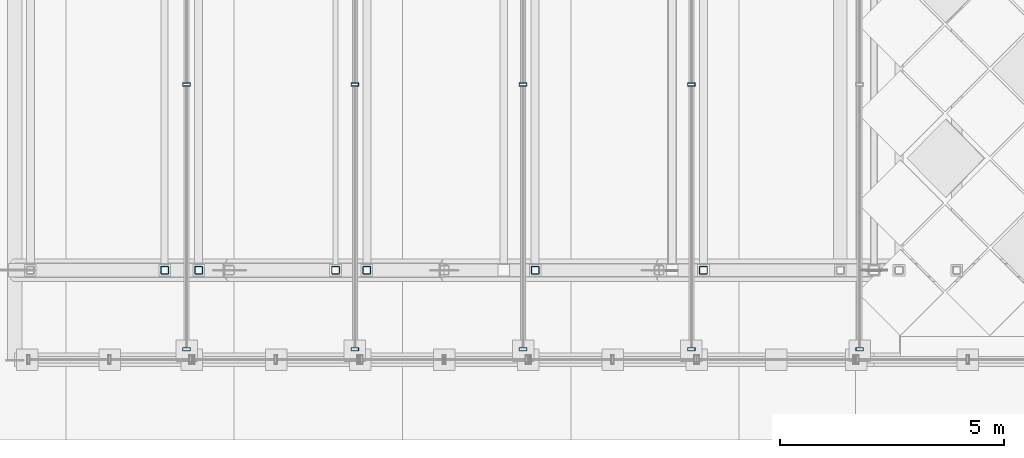
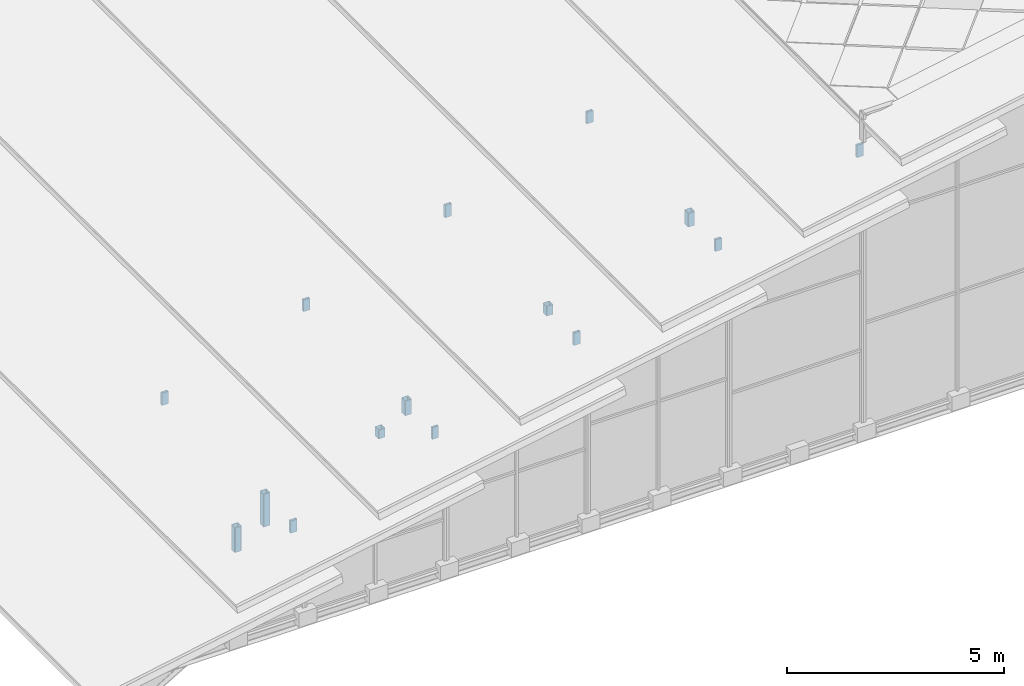
# One storey, part 50 of 117: 15 members, 5 elements without a shape of their own.
"""IFC4 building model written with IfcOpenShell, lengths in metres."""

from ifc_helpers import new_model, si_unit, direction, frame, origin, origin_2d, place, context, subcontext, project, spatial, hollow_rectangle, extrude, material, material_profile, profile_set, type_object, element, aggregate, save


model = new_model("IFC4")

# Units and contexts
model_context = context("Model", 3, precision=1e-05, world=origin(), true_north=direction((0.0, 1.0)))
body_context = subcontext(model_context, "Body", "Model", "MODEL_VIEW")
ifc_project = project(units=[si_unit("LENGTHUNIT", "METRE"), si_unit("AREAUNIT", "SQUARE_METRE"), si_unit("VOLUMEUNIT", "CUBIC_METRE"), si_unit("PLANEANGLEUNIT", "RADIAN"), si_unit("MASSUNIT", "GRAM", prefix="KILO")], contexts=[model_context])

# Site, building, storey
site_placement = place(None, origin())
site = spatial("IfcSite", under=ifc_project, at=site_placement, CompositionType="ELEMENT")
building_placement = place(site_placement, origin())
building = spatial("IfcBuilding", under=site, at=building_placement, Name="Merenkruunu Market Hall", CompositionType="ELEMENT")
storey_placement = place(building_placement, frame((0.0, 0.0, 22.800048828125)))
storey = spatial("IfcBuildingStorey", under=building, at=storey_placement, Name="RF", CompositionType="ELEMENT", Elevation=22.800048828125)

# Curtain wall, members
ifc_material_1 = material(Name="Powder-coated aluminium", Category="aluminium")
curtain_wall_type = type_object("IfcCurtainWallType", Name="Clerestory Curtain Band CL05", PredefinedType="USERDEFINED", material=ifc_material_1)
curtain_wall_1_placement = place(storey_placement, origin())
curtain_wall_1 = element("IfcCurtainWall", 1, at=curtain_wall_1_placement, inside=storey, type_object=curtain_wall_type, Name="CW-RF-CWM04-081", ObjectType="CLERESTORY_BAND", PredefinedType="USERDEFINED")
ifc_material_profile_1 = material_profile(ifc_material_1, hollow_rectangle(XDim=0.070068359375, YDim=0.169921875, WallThickness=0.0048828125, at=origin_2d()), Name="ALU 70x170x5")
ifc_profile_set_1 = profile_set([ifc_material_profile_1], Name="Powder-coated aluminium")
member_type_1 = type_object("IfcMemberType", Name="Curtain Wall Mullion CWM04", PredefinedType="MULLION", material=ifc_profile_set_1)
member_1_placement = place(storey_placement, frame((3.840087890625, 15.8349609375, -6.52197265625), z_axis=(0.0, 0.0, 1.0), x_axis=(0.0, 1.0, 0.0)))
member_1 = element("IfcMember", 2, at=member_1_placement, type_object=member_type_1, Name="CL05 mullion 1", PredefinedType="MULLION", context=body_context, shape_type="SweptSolid", body=[
    extrude(hollow_rectangle(XDim=0.070068359375, YDim=0.169921875, WallThickness=0.0048828125, at=origin_2d()), origin(), (0.0, 0.0, 1.0), 0.347900390625),
])
member_2_placement = place(storey_placement, frame((3.840087890625, 21.75, -6.52197265625), z_axis=(0.0, 0.0, 1.0), x_axis=(0.0, 1.0, 0.0)))
member_2 = element("IfcMember", 3, at=member_2_placement, type_object=member_type_1, Name="CL05 mullion 2", PredefinedType="MULLION", context=body_context, shape_type="SweptSolid", body=[
    extrude(hollow_rectangle(XDim=0.070068359375, YDim=0.169921875, WallThickness=0.0048828125, at=origin_2d()), origin(), (0.0, 0.0, 1.0), 0.347900390625),
])
aggregate(curtain_wall_1, [member_1, member_2])

curtain_wall_2_placement = place(storey_placement, origin())
curtain_wall_2 = element("IfcCurtainWall", 4, at=curtain_wall_2_placement, inside=storey, type_object=curtain_wall_type, Name="CW-RF-CWM04-089", ObjectType="CLERESTORY_BAND", PredefinedType="USERDEFINED")
member_3_placement = place(storey_placement, frame((7.60009765625, 15.8349609375, -5.2021484375), z_axis=(0.0, 0.0, 1.0), x_axis=(0.0, 1.0, 0.0)))
member_3 = element("IfcMember", 5, at=member_3_placement, type_object=member_type_1, Name="CL05 mullion 1", PredefinedType="MULLION", context=body_context, shape_type="SweptSolid", body=[
    extrude(hollow_rectangle(XDim=0.070068359375, YDim=0.169921875, WallThickness=0.0048828125, at=origin_2d()), origin(), (0.0, 0.0, 1.0), 0.3271484375),
])
member_4_placement = place(storey_placement, frame((7.60009765625, 21.75, -5.2021484375), z_axis=(0.0, 0.0, 1.0), x_axis=(0.0, 1.0, 0.0)))
member_4 = element("IfcMember", 6, at=member_4_placement, type_object=member_type_1, Name="CL05 mullion 2", PredefinedType="MULLION", context=body_context, shape_type="SweptSolid", body=[
    extrude(hollow_rectangle(XDim=0.070068359375, YDim=0.169921875, WallThickness=0.0048828125, at=origin_2d()), origin(), (0.0, 0.0, 1.0), 0.3271484375),
])
aggregate(curtain_wall_2, [member_3, member_4])

curtain_wall_3_placement = place(storey_placement, origin())
curtain_wall_3 = element("IfcCurtainWall", 7, at=curtain_wall_3_placement, inside=storey, type_object=curtain_wall_type, Name="CW-RF-CWM04-097", ObjectType="CLERESTORY_BAND", PredefinedType="USERDEFINED")
member_5_placement = place(storey_placement, frame((11.360107421875, 15.8349609375, -3.882080078125), z_axis=(0.0, 0.0, 1.0), x_axis=(0.0, 1.0, 0.0)))
member_5 = element("IfcMember", 8, at=member_5_placement, type_object=member_type_1, Name="CL05 mullion 1", PredefinedType="MULLION", context=body_context, shape_type="SweptSolid", body=[
    extrude(hollow_rectangle(XDim=0.070068359375, YDim=0.169921875, WallThickness=0.0048828125, at=origin_2d()), origin(), (0.0, 0.0, 1.0), 0.34814453125),
])
member_6_placement = place(storey_placement, frame((11.360107421875, 21.75, -3.882080078125), z_axis=(0.0, 0.0, 1.0), x_axis=(0.0, 1.0, 0.0)))
member_6 = element("IfcMember", 9, at=member_6_placement, type_object=member_type_1, Name="CL05 mullion 2", PredefinedType="MULLION", context=body_context, shape_type="SweptSolid", body=[
    extrude(hollow_rectangle(XDim=0.070068359375, YDim=0.169921875, WallThickness=0.0048828125, at=origin_2d()), origin(), (0.0, 0.0, 1.0), 0.34814453125),
])
aggregate(curtain_wall_3, [member_5, member_6])

curtain_wall_4_placement = place(storey_placement, origin())
curtain_wall_4 = element("IfcCurtainWall", 10, at=curtain_wall_4_placement, inside=storey, type_object=curtain_wall_type, Name="CW-RF-CWM04-105", ObjectType="CLERESTORY_BAND", PredefinedType="USERDEFINED")
member_7_placement = place(storey_placement, frame((15.1201171875, 15.8349609375, -2.56201171875), z_axis=(0.0, 0.0, 1.0), x_axis=(0.0, 1.0, 0.0)))
member_7 = element("IfcMember", 11, at=member_7_placement, type_object=member_type_1, Name="CL05 mullion 1", PredefinedType="MULLION", context=body_context, shape_type="SweptSolid", body=[
    extrude(hollow_rectangle(XDim=0.070068359375, YDim=0.169921875, WallThickness=0.0048828125, at=origin_2d()), origin(), (0.0, 0.0, 1.0), 0.326904296875),
])
member_8_placement = place(storey_placement, frame((15.1201171875, 21.75, -2.56201171875), z_axis=(0.0, 0.0, 1.0), x_axis=(0.0, 1.0, 0.0)))
member_8 = element("IfcMember", 12, at=member_8_placement, type_object=member_type_1, Name="CL05 mullion 2", PredefinedType="MULLION", context=body_context, shape_type="SweptSolid", body=[
    extrude(hollow_rectangle(XDim=0.070068359375, YDim=0.169921875, WallThickness=0.0048828125, at=origin_2d()), origin(), (0.0, 0.0, 1.0), 0.326904296875),
])
aggregate(curtain_wall_4, [member_7, member_8])

# Curtain wall, member
curtain_wall_5_placement = place(storey_placement, origin())
curtain_wall_5 = element("IfcCurtainWall", 13, at=curtain_wall_5_placement, inside=storey, type_object=curtain_wall_type, Name="CW-RF-CWM04-113", ObjectType="CLERESTORY_BAND", PredefinedType="USERDEFINED")
member_9_placement = place(storey_placement, frame((18.8798828125, 15.8349609375, -1.241943359375), z_axis=(0.0, 0.0, 1.0), x_axis=(0.0, 1.0, 0.0)))
member_9 = element("IfcMember", 14, at=member_9_placement, type_object=member_type_1, Name="CL05 mullion 1", PredefinedType="MULLION", context=body_context, shape_type="SweptSolid", body=[
    extrude(hollow_rectangle(XDim=0.070068359375, YDim=0.169921875, WallThickness=0.0048828125, at=origin_2d()), origin(), (0.0, 0.0, 1.0), 0.347900390625),
])
aggregate(curtain_wall_5, [member_9])

# Members
ifc_material_2 = material(Name="Steel S355J2", Category="steel")
ifc_material_profile_2 = material_profile(ifc_material_2, hollow_rectangle(XDim=0.179931640625, YDim=0.179931640625, WallThickness=0.010009765625, InnerFilletRadius=0.010009765625, OuterFilletRadius=0.02001953125, at=origin_2d()), Name="SHS 180x180x10")
ifc_profile_set_2 = profile_set([ifc_material_profile_2], Name="Steel S355J2")
member_type_2 = type_object("IfcMemberType", Name="Diagonal Sway Brace BR05", PredefinedType="BRACE", material=ifc_profile_set_2)
member_10_placement = place(storey_placement, frame((3.35009765625, 17.60009765625, -7.929931640625), z_axis=(0.0, 0.0, 1.0), x_axis=(1.0, 0.0, 0.0)))
element("IfcMember", 15, at=member_10_placement, inside=storey, type_object=member_type_2, Name="TRUSS-AT-1-RISER-W1-2", PredefinedType="BRACE", context=body_context, shape_type="SweptSolid", body=[
    extrude(hollow_rectangle(XDim=0.179931640625, YDim=0.179931640625, WallThickness=0.010009765625, InnerFilletRadius=0.010009765625, OuterFilletRadius=0.02001953125, at=origin_2d()), origin(), (0.0, 0.0, 1.0), 0.6904296875),
])
member_11_placement = place(storey_placement, frame((4.110107421875, 17.60009765625, -7.48095703125), z_axis=(0.0, 0.0, 1.0), x_axis=(1.0, 0.0, 0.0)))
element("IfcMember", 16, at=member_11_placement, inside=storey, type_object=member_type_2, Name="TRUSS-AT-1-RISER-W2-1", PredefinedType="BRACE", context=body_context, shape_type="SweptSolid", body=[
    extrude(hollow_rectangle(XDim=0.179931640625, YDim=0.179931640625, WallThickness=0.010009765625, InnerFilletRadius=0.010009765625, OuterFilletRadius=0.02001953125, at=origin_2d()), origin(), (0.0, 0.0, 1.0), 0.9228515625),
])
member_12_placement = place(storey_placement, frame((7.169921875, 17.60009765625, -6.075439453125), z_axis=(0.0, 0.0, 1.0), x_axis=(1.0, 0.0, 0.0)))
element("IfcMember", 17, at=member_12_placement, inside=storey, type_object=member_type_2, Name="TRUSS-AT-1-RISER-W2-2", PredefinedType="BRACE", context=body_context, shape_type="SweptSolid", body=[
    extrude(hollow_rectangle(XDim=0.179931640625, YDim=0.179931640625, WallThickness=0.010009765625, InnerFilletRadius=0.010009765625, OuterFilletRadius=0.02001953125, at=origin_2d()), origin(), (0.0, 0.0, 1.0), 0.25),
])
member_13_placement = place(storey_placement, frame((7.8701171875, 17.60009765625, -5.670166015625), z_axis=(0.0, 0.0, 1.0), x_axis=(1.0, 0.0, 0.0)))
element("IfcMember", 18, at=member_13_placement, inside=storey, type_object=member_type_2, Name="TRUSS-AT-1-RISER-W3-1", PredefinedType="BRACE", context=body_context, shape_type="SweptSolid", body=[
    extrude(hollow_rectangle(XDim=0.179931640625, YDim=0.179931640625, WallThickness=0.010009765625, InnerFilletRadius=0.010009765625, OuterFilletRadius=0.02001953125, at=origin_2d()), origin(), (0.0, 0.0, 1.0), 0.411865234375),
])
member_14_placement = place(storey_placement, frame((11.6298828125, 17.60009765625, -4.18505859375), z_axis=(0.0, 0.0, 1.0), x_axis=(1.0, 0.0, 0.0)))
element("IfcMember", 19, at=member_14_placement, inside=storey, type_object=member_type_2, Name="TRUSS-AT-1-RISER-W4-1", PredefinedType="BRACE", context=body_context, shape_type="SweptSolid", body=[
    extrude(hollow_rectangle(XDim=0.179931640625, YDim=0.179931640625, WallThickness=0.010009765625, InnerFilletRadius=0.010009765625, OuterFilletRadius=0.02001953125, at=origin_2d()), origin(), (0.0, 0.0, 1.0), 0.26708984375),
])
member_15_placement = place(storey_placement, frame((15.389892578125, 17.60009765625, -3.0029296875), z_axis=(0.0, 0.0, 1.0), x_axis=(1.0, 0.0, 0.0)))
element("IfcMember", 20, at=member_15_placement, inside=storey, type_object=member_type_2, Name="TRUSS-AT-1-RISER-W5-1", PredefinedType="BRACE", context=body_context, shape_type="SweptSolid", body=[
    extrude(hollow_rectangle(XDim=0.179931640625, YDim=0.179931640625, WallThickness=0.010009765625, InnerFilletRadius=0.010009765625, OuterFilletRadius=0.02001953125, at=origin_2d()), origin(), (0.0, 0.0, 1.0), 0.384521484375),
])

save(model, "model.ifc")
